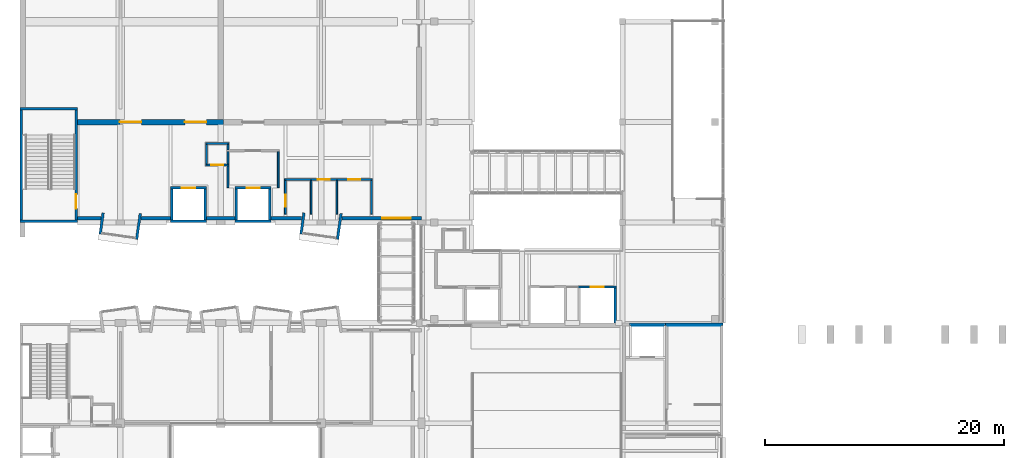
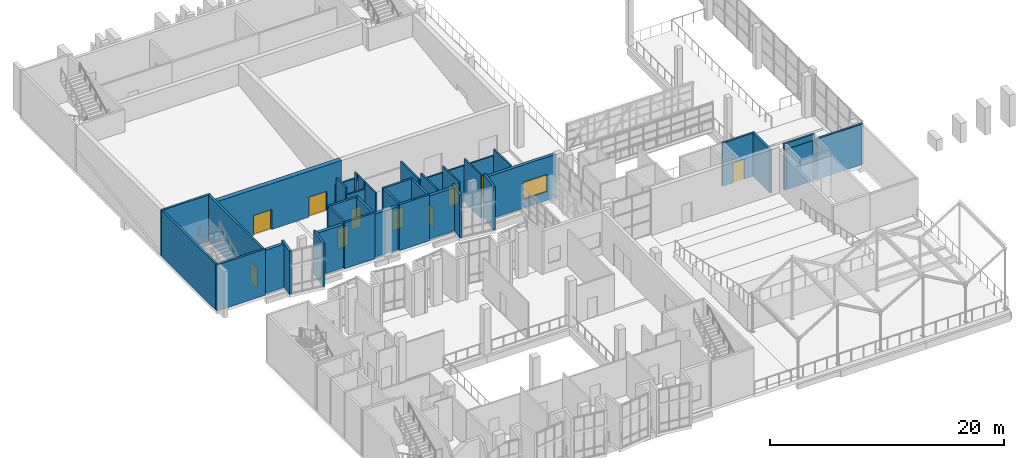
# One storey, part 44 of 67: 41 walls, 10 doors, 1 window, 11 openings.
"""IFC4 building model written with IfcOpenShell, lengths in metres."""

from ifc_helpers import new_model, si_unit, direction, frame, frame_2d, origin, place, context, subcontext, project, spatial, rectangle, extrude, material, layer, layer_set, type_object, element, fill, save


model = new_model("IFC4")

# Units and contexts
model_context = context("Model", 3, precision=1e-05, world=origin(), true_north=direction((0.0, 1.0)))
body_context = subcontext(model_context, "Body", "Model", "MODEL_VIEW")
ifc_project = project(units=[si_unit("LENGTHUNIT", "METRE"), si_unit("AREAUNIT", "SQUARE_METRE"), si_unit("VOLUMEUNIT", "CUBIC_METRE"), si_unit("PLANEANGLEUNIT", "RADIAN"), si_unit("MASSUNIT", "GRAM", prefix="KILO")], contexts=[model_context])

# Site, building, storey
site_placement = place(None, origin())
site = spatial("IfcSite", under=ifc_project, at=site_placement, CompositionType="ELEMENT")
building_placement = place(site_placement, origin())
building = spatial("IfcBuilding", under=site, at=building_placement, Name="Kiln Court Media Centre", CompositionType="ELEMENT")
storey_placement = place(building_placement, frame((0.0, 0.0, 19.800048828125)))
storey = spatial("IfcBuildingStorey", under=building, at=storey_placement, Name="L04", CompositionType="ELEMENT", Elevation=19.800048828125)

# Walls
ifc_material_1 = material(Name="Concrete block masonry M7.5", Category="masonry")
ifc_layer_1 = layer(ifc_material_1, 0.14990234375)
ifc_layer_set_1 = layer_set([ifc_layer_1], Name="Block lobby wall 150 EI 120")
wall_type_1 = type_object("IfcWallType", Name="Block lobby wall 150 EI 120", PredefinedType="SOLIDWALL", material=ifc_layer_set_1)
wall_1_placement = place(storey_placement, frame((17.39990234375, 36.52490234375, 0.0), z_axis=(0.0, 0.0, 1.0), x_axis=(0.0, 1.0, 0.0)))
element("IfcWall", 1, at=wall_1_placement, inside=storey, type_object=wall_type_1, Name="L04 block lobby wall", PredefinedType="SOLIDWALL", context=body_context, shape_type="SweptSolid", body=[
    extrude(rectangle(XDim=1.800048828125, YDim=0.14990234375, at=frame_2d((0.89990234375, 0.0))), origin(), (0.0, 0.0, 1.0), 4.5),
])
wall_2_placement = place(storey_placement, frame((17.39990234375, 38.47509765625, 0.0), z_axis=(0.0, 0.0, 1.0), x_axis=(0.0, 1.0, 0.0)))
element("IfcWall", 2, at=wall_2_placement, inside=storey, type_object=wall_type_1, Name="L04 block lobby wall", PredefinedType="SOLIDWALL", context=body_context, shape_type="SweptSolid", body=[
    extrude(rectangle(XDim=1.0498046875, YDim=0.14990234375, at=frame_2d((0.52490234375, 0.0))), origin(), (0.0, 0.0, 1.0), 4.5),
])
wall_3_placement = place(storey_placement, frame((21.60009765625, 36.52490234375, 0.0), z_axis=(0.0, 0.0, 1.0), x_axis=(0.0, 1.0, 0.0)))
element("IfcWall", 3, at=wall_3_placement, inside=storey, type_object=wall_type_1, Name="L04 block lobby wall", PredefinedType="SOLIDWALL", context=body_context, shape_type="SweptSolid", body=[
    extrude(rectangle(XDim=3.0, YDim=0.14990234375, at=frame_2d((1.5, 0.0))), origin(), (0.0, 0.0, 1.0), 4.5),
])
ifc_material_2 = material(Name="Brick masonry facing leaf with RC backing", Category="masonry")
ifc_layer_2 = layer(ifc_material_2, 0.215087890625)
ifc_layer_set_2 = layer_set([ifc_layer_2], Name="Brick masonry bay cheek wall 215")
wall_type_2 = type_object("IfcWallType", Name="Brick masonry bay cheek wall 215", PredefinedType="SOLIDWALL", material=ifc_layer_set_2)
wall_4_placement = place(storey_placement, frame((6.9560546875, 34.40869140625, 0.0), z_axis=(0.0, 0.0, 1.0), x_axis=(-0.13918000587, -0.990267098295, 0.0)))
element("IfcWall", 4, at=wall_4_placement, inside=storey, type_object=wall_type_2, Name="BAY V4-S-L04-24 cheek L", PredefinedType="SOLIDWALL", context=body_context, shape_type="SweptSolid", body=[
    extrude(rectangle(XDim=1.7998046875, YDim=0.215087890625, at=frame_2d((0.89990234375, 0.0))), origin(), (0.0, 0.0, 1.0), 4.5),
])
wall_5_placement = place(storey_placement, frame((10.0625, 34.344970703125, 0.0), z_axis=(0.0, 0.0, 1.0), x_axis=(-0.139230687381, -0.99025997379, 0.0)))
element("IfcWall", 5, at=wall_5_placement, inside=storey, type_object=wall_type_2, Name="BAY V4-S-L04-24 cheek R", PredefinedType="SOLIDWALL", context=body_context, shape_type="SweptSolid", body=[
    extrude(rectangle(XDim=2.169189453125, YDim=0.215087890625, at=frame_2d((1.08447265625, 0.0))), origin(), (0.0, 0.0, 1.0), 4.5),
])
wall_6_placement = place(storey_placement, frame((23.756103515625, 34.40869140625, 0.0), z_axis=(0.0, 0.0, 1.0), x_axis=(-0.13918000587, -0.990267098295, 0.0)))
element("IfcWall", 6, at=wall_6_placement, inside=storey, type_object=wall_type_2, Name="BAY V4-S-L04-28 cheek L", PredefinedType="SOLIDWALL", context=body_context, shape_type="SweptSolid", body=[
    extrude(rectangle(XDim=1.7998046875, YDim=0.215087890625, at=frame_2d((0.89990234375, 0.0))), origin(), (0.0, 0.0, 1.0), 4.5),
])
wall_7_placement = place(storey_placement, frame((26.8623046875, 34.344970703125, 0.0), z_axis=(0.0, 0.0, 1.0), x_axis=(-0.139120311566, -0.990275486372, 0.0)))
element("IfcWall", 7, at=wall_7_placement, inside=storey, type_object=wall_type_2, Name="BAY V4-S-L04-28 cheek R", PredefinedType="SOLIDWALL", context=body_context, shape_type="SweptSolid", body=[
    extrude(rectangle(XDim=2.1689453125, YDim=0.215087890625, at=frame_2d((1.08447265625, 0.0))), origin(), (0.0, 0.0, 1.0), 4.5),
])

# Wall, openings, doors
ifc_material_3 = material(Name="Concrete C40/50", Category="concrete")
ifc_layer_3 = layer(ifc_material_3, 0.449951171875)
ifc_layer_set_3 = layer_set([ifc_layer_3], Name="Concrete C40/50 auditorium wall 450")
wall_type_3 = type_object("IfcWallType", Name="Concrete C40/50 auditorium wall 450", PredefinedType="SHEAR", material=ifc_layer_set_3)
wall_8_placement = place(storey_placement, frame((17.02490234375, 42.0, 0.0), z_axis=(0.0, 0.0, 1.0), x_axis=(-1.0, 0.0, 0.0)))
wall_8 = element("IfcWall", 8, at=wall_8_placement, inside=storey, type_object=wall_type_3, Name="L04-W-1072", PredefinedType="SHEAR", context=body_context, shape_type="SweptSolid", body=[
    extrude(rectangle(XDim=12.224853515625, YDim=0.449951171875, at=frame_2d((6.1123046875, 0.0))), origin(), (0.0, 0.0, 1.0), 4.800048828125),
])
opening_1_placement = place(wall_8_placement, frame((6.875, 0.0, 0.0)))
opening_1 = element("IfcOpeningElement", 9, at=opening_1_placement, cuts=wall_8, Name="Opening D4013", PredefinedType="OPENING", context=body_context, shape_type="SweptSolid", body=[
    extrude(rectangle(XDim=1.800048828125, YDim=2.10009765625, at=frame_2d((0.89990234375, 1.050048828125))), frame((0.0, 0.23486328125, 0.0), z_axis=(0.0, -1.0, 0.0), x_axis=(1.0, 0.0, 0.0)), (0.0, 0.0, 1.0), 0.469970703125),
])
opening_2_placement = place(wall_8_placement, frame((1.4248046875, 0.0, 0.0)))
opening_2 = element("IfcOpeningElement", 10, at=opening_2_placement, cuts=wall_8, Name="Opening D4038", PredefinedType="OPENING", context=body_context, shape_type="SweptSolid", body=[
    extrude(rectangle(XDim=1.800048828125, YDim=2.10009765625, at=frame_2d((0.89990234375, 1.050048828125))), frame((0.0, 0.23486328125, 0.0), z_axis=(0.0, -1.0, 0.0), x_axis=(1.0, 0.0, 0.0)), (0.0, 0.0, 1.0), 0.469970703125),
])
ifc_material_4 = material(Name="Steel S275", Category="steel")
door_type_1 = type_object("IfcDoorType", Name="Acoustic cinema double door 1800 x 2100 FD180", OperationType="DOUBLE_DOOR_SINGLE_SWING", PredefinedType="DOOR", material=ifc_material_4)
door_1_placement = place(opening_1_placement, origin())
door_1 = element("IfcDoor", 11, at=door_1_placement, inside=storey, type_object=door_type_1, Name="VIP Lounge / Cinema Screen 7", OperationType="DOUBLE_DOOR_SINGLE_SWING", OverallHeight=2.10009765625, OverallWidth=1.800048828125, PredefinedType="DOOR", context=body_context, shape_type="SweptSolid", body=[
    extrude(rectangle(XDim=1.800048828125, YDim=2.10009765625, at=frame_2d((0.89990234375, 1.050048828125))), frame((0.0, 0.02490234375, 0.0), z_axis=(0.0, -1.0, 0.0), x_axis=(1.0, 0.0, 0.0)), (0.0, 0.0, 1.0), 0.050048828125),
])
fill(opening_1, door_1)
door_2_placement = place(opening_2_placement, origin())
door_2 = element("IfcDoor", 12, at=door_2_placement, inside=storey, type_object=door_type_1, Name="Cinema Lobby / Cinema Screen 7", OperationType="DOUBLE_DOOR_SINGLE_SWING", OverallHeight=2.10009765625, OverallWidth=1.800048828125, PredefinedType="DOOR", context=body_context, shape_type="SweptSolid", body=[
    extrude(rectangle(XDim=1.800048828125, YDim=2.10009765625, at=frame_2d((0.89990234375, 1.050048828125))), frame((0.0, 0.02490234375, 0.0), z_axis=(0.0, -1.0, 0.0), x_axis=(1.0, 0.0, 0.0)), (0.0, 0.0, 1.0), 0.050048828125),
])
fill(opening_2, door_2)

# Walls
ifc_material_5 = material(Name="Concrete C40/50", Category="concrete")
ifc_layer_4 = layer(ifc_material_5, 0.300048828125)
ifc_layer_set_4 = layer_set([ifc_layer_4], Name="Concrete C40/50 board-marked facade wall 300")
wall_type_4 = type_object("IfcWallType", Name="Concrete C40/50 board-marked facade wall 300", PredefinedType="SOLIDWALL", material=ifc_layer_set_4)
wall_9_placement = place(storey_placement, frame((6.76220703125, 33.949951171875, 0.0), z_axis=(0.0, 0.0, 1.0), x_axis=(-1.0, 0.0, 0.0)))
element("IfcWall", 13, at=wall_9_placement, inside=storey, type_object=wall_type_4, Name="V4 S facade wall 4000", PredefinedType="SOLIDWALL", context=body_context, shape_type="SweptSolid", body=[
    extrude(rectangle(XDim=1.962158203125, YDim=0.300048828125, at=frame_2d((0.98095703125, 0.0))), origin(), (0.0, 0.0, 1.0), 4.5),
])
wall_10_placement = place(storey_placement, frame((12.60009765625, 33.949951171875, 0.0), z_axis=(0.0, 0.0, 1.0), x_axis=(-1.0, 0.0, 0.0)))
element("IfcWall", 14, at=wall_10_placement, inside=storey, type_object=wall_type_4, Name="V4 S facade wall 4001", PredefinedType="SOLIDWALL", context=body_context, shape_type="SweptSolid", body=[
    extrude(rectangle(XDim=2.4638671875, YDim=0.300048828125, at=frame_2d((1.23193359375, 0.0))), origin(), (0.0, 0.0, 1.0), 4.5),
])
wall_11_placement = place(storey_placement, frame((18.0, 33.949951171875, 0.0), z_axis=(0.0, 0.0, 1.0), x_axis=(-1.0, 0.0, 0.0)))
element("IfcWall", 15, at=wall_11_placement, inside=storey, type_object=wall_type_4, Name="V4 S facade wall 4002", PredefinedType="SOLIDWALL", context=body_context, shape_type="SweptSolid", body=[
    extrude(rectangle(XDim=2.39990234375, YDim=0.300048828125, at=frame_2d((1.199951171875, 0.0))), origin(), (0.0, 0.0, 1.0), 4.5),
])
wall_12_placement = place(storey_placement, frame((23.562255859375, 33.949951171875, 0.0), z_axis=(0.0, 0.0, 1.0), x_axis=(-1.0, 0.0, 0.0)))
element("IfcWall", 16, at=wall_12_placement, inside=storey, type_object=wall_type_4, Name="V4 S facade wall 4003", PredefinedType="SOLIDWALL", context=body_context, shape_type="SweptSolid", body=[
    extrude(rectangle(XDim=2.562255859375, YDim=0.300048828125, at=frame_2d((1.28125, 0.0))), origin(), (0.0, 0.0, 1.0), 4.5),
])

# Wall, opening, window
wall_13_placement = place(storey_placement, frame((33.60009765625, 33.949951171875, 0.0), z_axis=(0.0, 0.0, 1.0), x_axis=(-1.0, 0.0, 0.0)))
wall_13 = element("IfcWall", 17, at=wall_13_placement, inside=storey, type_object=wall_type_4, Name="V4 S facade wall 4004", PredefinedType="SOLIDWALL", context=body_context, shape_type="SweptSolid", body=[
    extrude(rectangle(XDim=6.6640625, YDim=0.300048828125, at=frame_2d((3.33203125, 0.0))), origin(), (0.0, 0.0, 1.0), 4.5),
])
opening_3_placement = place(wall_13_placement, frame((0.89990234375, 0.0, 0.89990234375)))
opening_3 = element("IfcOpeningElement", 18, at=opening_3_placement, cuts=wall_13, Name="Opening WN4500", PredefinedType="OPENING", context=body_context, shape_type="SweptSolid", body=[
    extrude(rectangle(XDim=2.39990234375, YDim=1.800048828125, at=frame_2d((1.199951171875, 0.89990234375))), frame((0.0, 0.159912109375, 0.0), z_axis=(0.0, -1.0, 0.0), x_axis=(1.0, 0.0, 0.0)), (0.0, 0.0, 1.0), 0.320068359375),
])
ifc_material_6 = material(Name="Aluminium 6063-T6", Category="aluminium")
window_type = type_object("IfcWindowType", Name="Aluminium lobby window 2400x1800", PartitioningType="TRIPLE_PANEL_VERTICAL", PredefinedType="WINDOW", material=ifc_material_6)
window_placement = place(opening_3_placement, origin())
window = element("IfcWindow", 19, at=window_placement, inside=storey, type_object=window_type, Name="V4 S circulation window", OverallHeight=1.800048828125, OverallWidth=2.39990234375, PartitioningType="SINGLE_PANEL", PredefinedType="WINDOW", context=body_context, shape_type="SweptSolid", body=[
    extrude(rectangle(XDim=2.39990234375, YDim=1.800048828125, at=frame_2d((1.199951171875, 0.89990234375))), frame((0.0, 0.030029296875, 0.0), z_axis=(0.0, -1.0, 0.0), x_axis=(1.0, 0.0, 0.0)), (0.0, 0.0, 1.0), 0.06005859375),
])
fill(opening_3, window)

# Wall, opening, door
ifc_material_7 = material(Name="Concrete C40/50", Category="concrete")
ifc_layer_5 = layer(ifc_material_7, 0.199951171875)
ifc_layer_set_5 = layer_set([ifc_layer_5], Name="Concrete C40/50 lift shaft wall 200 EI 240")
wall_type_5 = type_object("IfcWallType", Name="Concrete C40/50 lift shaft wall 200 EI 240", PredefinedType="SHEAR", material=ifc_layer_set_5)
wall_14_placement = place(storey_placement, frame((46.699951171875, 28.199951171875, 0.0), z_axis=(0.0, 0.0, 1.0), x_axis=(1.0, 0.0, 0.0)))
wall_14 = element("IfcWall", 20, at=wall_14_placement, inside=storey, type_object=wall_type_5, Name="L04 concrete c40/50 lift shaft wall", PredefinedType="SHEAR", context=body_context, shape_type="SweptSolid", body=[
    extrude(rectangle(XDim=3.199951171875, YDim=0.199951171875, at=frame_2d((1.60009765625, 0.0))), origin(), (0.0, 0.0, 1.0), 4.5),
])
opening_4_placement = place(wall_14_placement, frame((1.050048828125, 0.0, 0.0)))
opening_4 = element("IfcOpeningElement", 21, at=opening_4_placement, cuts=wall_14, Name="Opening LD408", PredefinedType="OPENING", context=body_context, shape_type="SweptSolid", body=[
    extrude(rectangle(XDim=1.10009765625, YDim=2.10009765625, at=frame_2d((0.550048828125, 1.050048828125))), frame((0.0, 0.10986328125, 0.0), z_axis=(0.0, -1.0, 0.0), x_axis=(1.0, 0.0, 0.0)), (0.0, 0.0, 1.0), 0.219970703125),
])
ifc_material_8 = material(Name="Stainless steel", Category="steel")
door_type_2 = type_object("IfcDoorType", Name="Lift landing door 1100 x 2100 FD120", OperationType="SLIDING_TO_LEFT", PredefinedType="DOOR", material=ifc_material_8)
door_3_placement = place(opening_4_placement, origin())
door_3 = element("IfcDoor", 22, at=door_3_placement, inside=storey, type_object=door_type_2, Name="LF-08 landing door L04", OperationType="SLIDING_TO_LEFT", OverallHeight=2.10009765625, OverallWidth=1.10009765625, PredefinedType="DOOR", context=body_context, shape_type="SweptSolid", body=[
    extrude(rectangle(XDim=1.10009765625, YDim=2.10009765625, at=frame_2d((0.550048828125, 1.050048828125))), frame((0.0, 0.02490234375, 0.0), z_axis=(0.0, -1.0, 0.0), x_axis=(1.0, 0.0, 0.0)), (0.0, 0.0, 1.0), 0.050048828125),
])
fill(opening_4, door_3)

# Walls
wall_15_placement = place(storey_placement, frame((49.800048828125, 25.199951171875, 0.0), z_axis=(0.0, 0.0, 1.0), x_axis=(0.0, 1.0, 0.0)))
element("IfcWall", 23, at=wall_15_placement, inside=storey, type_object=wall_type_5, Name="L04 concrete c40/50 lift shaft wall", PredefinedType="SHEAR", context=body_context, shape_type="SweptSolid", body=[
    extrude(rectangle(XDim=2.900146484375, YDim=0.199951171875, at=frame_2d((1.4501953125, 0.0))), origin(), (0.0, 0.0, 1.0), 4.5),
])
ifc_material_9 = material(Name="Concrete C40/50", Category="concrete")
ifc_layer_6 = layer(ifc_material_9, 0.199951171875)
ifc_layer_set_6 = layer_set([ifc_layer_6], Name="Concrete C40/50 shear wall 200")
wall_type_6 = type_object("IfcWallType", Name="Concrete C40/50 shear wall 200", PredefinedType="SHEAR", material=ifc_layer_set_6)
wall_16_placement = place(storey_placement, frame((54.0, 25.10009765625, 0.0), z_axis=(0.0, 0.0, 1.0), x_axis=(1.0, 0.0, 0.0)))
element("IfcWall", 24, at=wall_16_placement, inside=storey, type_object=wall_type_6, Name="L04-W-1013", PredefinedType="SHEAR", context=body_context, shape_type="SweptSolid", body=[
    extrude(rectangle(XDim=4.800048828125, YDim=0.199951171875, at=frame_2d((2.39990234375, 0.0))), origin(), (0.0, 0.0, 1.0), 4.199951171875),
])
for number, where, z_axis, x_axis, name in (
    (25, (4.800048828125, 33.699951171875, 0.0), (0.0, 0.0, 1.0), (-1.0, 0.0, 0.0), "L04-W-1016"),
    (26, (0.00048828125, 43.10009765625, 0.0), (0.0, 0.0, 1.0), (1.0, 0.0, 0.0), "L04-W-1017"),
):
    element("IfcWall", number, at=place(storey_placement, frame(where, z_axis=z_axis, x_axis=x_axis)), inside=storey, type_object=wall_type_6, Name=name, PredefinedType="SHEAR", context=body_context, shape_type="SweptSolid", body=[
        extrude(rectangle(XDim=4.799560546875, YDim=0.199951171875, at=frame_2d((2.39990234375, 0.0))), origin(), (0.0, 0.0, 1.0), 4.800048828125),
    ])
wall_17_placement = place(storey_placement, frame((0.100341796875, 33.800048828125, 0.0), z_axis=(0.0, 0.0, 1.0), x_axis=(0.0, 1.0, 0.0)))
element("IfcWall", 27, at=wall_17_placement, inside=storey, type_object=wall_type_6, Name="L04-W-1018", PredefinedType="SHEAR", context=body_context, shape_type="SweptSolid", body=[
    extrude(rectangle(XDim=9.199951171875, YDim=0.199951171875, at=frame_2d((4.60009765625, 0.0))), origin(), (0.0, 0.0, 1.0), 4.800048828125),
])

# Wall, opening, door
wall_18_placement = place(storey_placement, frame((4.699951171875, 43.0, 0.0), z_axis=(0.0, 0.0, 1.0), x_axis=(0.0, -1.0, 0.0)))
wall_18 = element("IfcWall", 28, at=wall_18_placement, inside=storey, type_object=wall_type_6, Name="L04-W-1019", PredefinedType="SHEAR", context=body_context, shape_type="SweptSolid", body=[
    extrude(rectangle(XDim=9.199951171875, YDim=0.199951171875, at=frame_2d((4.60009765625, 0.0))), origin(), (0.0, 0.0, 1.0), 4.800048828125),
])
opening_5_placement = place(wall_18_placement, frame((7.050048828125, 0.0, 0.0)))
opening_5 = element("IfcOpeningElement", 29, at=opening_5_placement, cuts=wall_18, Name="Opening D4002", PredefinedType="OPENING", context=body_context, shape_type="SweptSolid", body=[
    extrude(rectangle(XDim=1.199951171875, YDim=2.10009765625, at=frame_2d((0.60009765625, 1.050048828125))), frame((0.0, 0.10986328125, 0.0), z_axis=(0.0, -1.0, 0.0), x_axis=(1.0, 0.0, 0.0)), (0.0, 0.0, 1.0), 0.219970703125),
])
ifc_material_10 = material(Name="Steel S275", Category="steel")
door_type_3 = type_object("IfcDoorType", Name="Steel stair door 1200 x 2100 FD180", OperationType="SINGLE_SWING_LEFT", PredefinedType="DOOR", material=ifc_material_10)
door_4_placement = place(opening_5_placement, origin())
door_4 = element("IfcDoor", 30, at=door_4_placement, inside=storey, type_object=door_type_3, Name="Stair 6 / VIP Lounge", OperationType="SINGLE_SWING_LEFT", OverallHeight=2.10009765625, OverallWidth=1.199951171875, PredefinedType="DOOR", context=body_context, shape_type="SweptSolid", body=[
    extrude(rectangle(XDim=1.199951171875, YDim=2.10009765625, at=frame_2d((0.60009765625, 1.050048828125))), frame((0.0, 0.02490234375, 0.0), z_axis=(0.0, -1.0, 0.0), x_axis=(1.0, 0.0, 0.0)), (0.0, 0.0, 1.0), 0.050048828125),
])
fill(opening_5, door_4)

# Walls
wall_19_placement = place(storey_placement, frame((51.0, 25.10009765625, 0.0), z_axis=(0.0, 0.0, 1.0), x_axis=(1.0, 0.0, 0.0)))
element("IfcWall", 31, at=wall_19_placement, inside=storey, type_object=wall_type_6, Name="L04-W-1045", PredefinedType="SHEAR", context=body_context, shape_type="SweptSolid", body=[
    extrude(rectangle(XDim=3.0, YDim=0.199951171875, at=frame_2d((1.5, 0.0))), origin(), (0.0, 0.0, 1.0), 4.199951171875),
])
wall_20_placement = place(storey_placement, frame((51.0, 25.10009765625, 4.199951171875), z_axis=(0.0, 0.0, 1.0), x_axis=(1.0, 0.0, 0.0)))
element("IfcWall", 32, at=wall_20_placement, inside=storey, type_object=wall_type_6, Name="L04-W-1049", PredefinedType="SHEAR", context=body_context, shape_type="SweptSolid", body=[
    extrude(rectangle(XDim=3.0, YDim=0.199951171875, at=frame_2d((1.5, 0.0))), origin(), (0.0, 0.0, 1.0), 0.60009765625),
])
wall_21_placement = place(storey_placement, frame((15.60009765625, 33.699951171875, 0.0), z_axis=(0.0, 0.0, 1.0), x_axis=(-1.0, 0.0, 0.0)))
element("IfcWall", 33, at=wall_21_placement, inside=storey, type_object=wall_type_6, Name="L04-W-1052", PredefinedType="SHEAR", context=body_context, shape_type="SweptSolid", body=[
    extrude(rectangle(XDim=3.0, YDim=0.199951171875, at=frame_2d((1.5, 0.0))), origin(), (0.0, 0.0, 1.0), 4.800048828125),
])

# Wall, opening, door
wall_22_placement = place(storey_placement, frame((12.60009765625, 36.5, 0.0), z_axis=(0.0, 0.0, 1.0), x_axis=(1.0, 0.0, 0.0)))
wall_22 = element("IfcWall", 34, at=wall_22_placement, inside=storey, type_object=wall_type_6, Name="L04-W-1053", PredefinedType="SHEAR", context=body_context, shape_type="SweptSolid", body=[
    extrude(rectangle(XDim=3.0, YDim=0.199951171875, at=frame_2d((1.5, 0.0))), origin(), (0.0, 0.0, 1.0), 4.800048828125),
])
opening_6_placement = place(wall_22_placement, frame((0.949951171875, 0.0, 0.0)))
opening_6 = element("IfcOpeningElement", 35, at=opening_6_placement, cuts=wall_22, Name="Opening LD405", PredefinedType="OPENING", context=body_context, shape_type="SweptSolid", body=[
    extrude(rectangle(XDim=1.10009765625, YDim=2.10009765625, at=frame_2d((0.550048828125, 1.050048828125))), frame((0.0, 0.10986328125, 0.0), z_axis=(0.0, -1.0, 0.0), x_axis=(1.0, 0.0, 0.0)), (0.0, 0.0, 1.0), 0.219970703125),
])
door_5_placement = place(opening_6_placement, origin())
door_5 = element("IfcDoor", 36, at=door_5_placement, inside=storey, type_object=door_type_2, Name="LF-05 landing door L04", OperationType="SLIDING_TO_LEFT", OverallHeight=2.10009765625, OverallWidth=1.10009765625, PredefinedType="DOOR", context=body_context, shape_type="SweptSolid", body=[
    extrude(rectangle(XDim=1.10009765625, YDim=2.10009765625, at=frame_2d((0.550048828125, 1.050048828125))), frame((0.0, 0.02490234375, 0.0), z_axis=(0.0, -1.0, 0.0), x_axis=(1.0, 0.0, 0.0)), (0.0, 0.0, 1.0), 0.050048828125),
])
fill(opening_6, door_5)

# Walls
for number, where, z_axis, x_axis, name in (
    (37, (12.699951171875, 33.800048828125, 0.0), (0.0, 0.0, 1.0), (0.0, 1.0, 0.0), "L04-W-1054"),
    (38, (15.5, 36.39990234375, 0.0), (0.0, 0.0, 1.0), (0.0, -1.0, 0.0), "L04-W-1055"),
):
    element("IfcWall", number, at=place(storey_placement, frame(where, z_axis=z_axis, x_axis=x_axis)), inside=storey, type_object=wall_type_6, Name=name, PredefinedType="SHEAR", context=body_context, shape_type="SweptSolid", body=[
        extrude(rectangle(XDim=2.599853515625, YDim=0.199951171875, at=frame_2d((1.2998046875, 0.0))), origin(), (0.0, 0.0, 1.0), 4.800048828125),
    ])
wall_23_placement = place(storey_placement, frame((21.0, 33.699951171875, 0.0), z_axis=(0.0, 0.0, 1.0), x_axis=(-1.0, 0.0, 0.0)))
element("IfcWall", 39, at=wall_23_placement, inside=storey, type_object=wall_type_6, Name="L04-W-1056", PredefinedType="SHEAR", context=body_context, shape_type="SweptSolid", body=[
    extrude(rectangle(XDim=3.0, YDim=0.199951171875, at=frame_2d((1.5, 0.0))), origin(), (0.0, 0.0, 1.0), 4.800048828125),
])

# Wall, opening, door
wall_24_placement = place(storey_placement, frame((18.0, 36.5, 0.0), z_axis=(0.0, 0.0, 1.0), x_axis=(1.0, 0.0, 0.0)))
wall_24 = element("IfcWall", 40, at=wall_24_placement, inside=storey, type_object=wall_type_6, Name="L04-W-1057", PredefinedType="SHEAR", context=body_context, shape_type="SweptSolid", body=[
    extrude(rectangle(XDim=3.0, YDim=0.199951171875, at=frame_2d((1.5, 0.0))), origin(), (0.0, 0.0, 1.0), 4.800048828125),
])
opening_7_placement = place(wall_24_placement, frame((0.949951171875, 0.0, 0.0)))
opening_7 = element("IfcOpeningElement", 41, at=opening_7_placement, cuts=wall_24, Name="Opening LD406", PredefinedType="OPENING", context=body_context, shape_type="SweptSolid", body=[
    extrude(rectangle(XDim=1.10009765625, YDim=2.10009765625, at=frame_2d((0.550048828125, 1.050048828125))), frame((0.0, 0.10986328125, 0.0), z_axis=(0.0, -1.0, 0.0), x_axis=(1.0, 0.0, 0.0)), (0.0, 0.0, 1.0), 0.219970703125),
])
ifc_material_11 = material(Name="Stainless steel", Category="steel")
door_type_4 = type_object("IfcDoorType", Name="Firefighting lift landing door 1100 x 2100 FD120", OperationType="SLIDING_TO_LEFT", PredefinedType="DOOR", material=ifc_material_11)
door_6_placement = place(opening_7_placement, origin())
door_6 = element("IfcDoor", 42, at=door_6_placement, inside=storey, type_object=door_type_4, Name="LF-06 landing door L04", OperationType="SLIDING_TO_LEFT", OverallHeight=2.10009765625, OverallWidth=1.10009765625, PredefinedType="DOOR", context=body_context, shape_type="SweptSolid", body=[
    extrude(rectangle(XDim=1.10009765625, YDim=2.10009765625, at=frame_2d((0.550048828125, 1.050048828125))), frame((0.0, 0.02490234375, 0.0), z_axis=(0.0, -1.0, 0.0), x_axis=(1.0, 0.0, 0.0)), (0.0, 0.0, 1.0), 0.050048828125),
])
fill(opening_7, door_6)

# Walls
for number, where, z_axis, x_axis, name in (
    (43, (18.10009765625, 33.800048828125, 0.0), (0.0, 0.0, 1.0), (0.0, 1.0, 0.0), "L04-W-1058"),
    (44, (20.89990234375, 36.39990234375, 0.0), (0.0, 0.0, 1.0), (0.0, -1.0, 0.0), "L04-W-1059"),
):
    element("IfcWall", number, at=place(storey_placement, frame(where, z_axis=z_axis, x_axis=x_axis)), inside=storey, type_object=wall_type_6, Name=name, PredefinedType="SHEAR", context=body_context, shape_type="SweptSolid", body=[
        extrude(rectangle(XDim=2.599853515625, YDim=0.199951171875, at=frame_2d((1.2998046875, 0.0))), origin(), (0.0, 0.0, 1.0), 4.800048828125),
    ])
ifc_material_12 = material(Name="Concrete C40/50", Category="concrete")
ifc_layer_7 = layer(ifc_material_12, 0.050048828125)
ifc_layer_set_7 = layer_set([ifc_layer_7], Name="Concrete C40/50 shear wall 50")
wall_type_7 = type_object("IfcWallType", Name="Concrete C40/50 shear wall 50", PredefinedType="SHEAR", material=ifc_layer_set_7)
wall_25_placement = place(storey_placement, frame((51.199951171875, 24.97509765625, 0.0), z_axis=(0.0, 0.0, 1.0), x_axis=(1.0, 0.0, 0.0)))
element("IfcWall", 45, at=wall_25_placement, inside=storey, type_object=wall_type_7, Name="L04-W-1082", PredefinedType="SHEAR", context=body_context, shape_type="SweptSolid", body=[
    extrude(rectangle(XDim=2.60009765625, YDim=0.050048828125, at=frame_2d((1.300048828125, 0.0))), origin(), (0.0, 0.0, 1.0), 4.199951171875),
])
wall_26_placement = place(storey_placement, frame((54.199951171875, 24.97509765625, 0.0), z_axis=(0.0, 0.0, 1.0), x_axis=(1.0, 0.0, 0.0)))
element("IfcWall", 46, at=wall_26_placement, inside=storey, type_object=wall_type_7, Name="L04-W-1083", PredefinedType="SHEAR", context=body_context, shape_type="SweptSolid", body=[
    extrude(rectangle(XDim=4.400146484375, YDim=0.050048828125, at=frame_2d((2.2001953125, 0.0))), origin(), (0.0, 0.0, 1.0), 4.199951171875),
])

# Wall, openings, doors
ifc_material_13 = material(Name="Gypsum plasterboard", Category="gypsum")
ifc_layer_8 = layer(ifc_material_13, 0.14990234375)
ifc_layer_set_8 = layer_set([ifc_layer_8], Name="Gypsum corridor partition 150 EI 60")
wall_type_8 = type_object("IfcWallType", Name="Gypsum corridor partition 150 EI 60", PredefinedType="PARTITIONING", material=ifc_layer_set_8)
wall_27_placement = place(storey_placement, frame((22.125, 37.199951171875, 0.0), z_axis=(0.0, 0.0, 1.0), x_axis=(1.0, 0.0, 0.0)))
wall_27 = element("IfcWall", 47, at=wall_27_placement, inside=storey, type_object=wall_type_8, Name="L04 gypsum corridor partition", PredefinedType="PARTITIONING", context=body_context, shape_type="SweptSolid", body=[
    extrude(rectangle(XDim=7.35009765625, YDim=0.14990234375, at=frame_2d((3.675048828125, 0.0))), origin(), (0.0, 0.0, 1.0), 3.800048828125),
])
opening_8_placement = place(wall_27_placement, frame((2.800048828125, 0.0, 0.0)))
opening_8 = element("IfcOpeningElement", 48, at=opening_8_placement, cuts=wall_27, Name="Opening D4035", PredefinedType="OPENING", context=body_context, shape_type="SweptSolid", body=[
    extrude(rectangle(XDim=1.0, YDim=2.10009765625, at=frame_2d((0.5, 1.050048828125))), frame((0.0, 0.0849609375, 0.0), z_axis=(0.0, -1.0, 0.0), x_axis=(1.0, 0.0, 0.0)), (0.0, 0.0, 1.0), 0.169921875),
])
opening_9_placement = place(wall_27_placement, frame((5.324951171875, 0.0, 0.0)))
opening_9 = element("IfcOpeningElement", 49, at=opening_9_placement, cuts=wall_27, Name="Opening D4036", PredefinedType="OPENING", context=body_context, shape_type="SweptSolid", body=[
    extrude(rectangle(XDim=1.0, YDim=2.10009765625, at=frame_2d((0.5, 1.050048828125))), frame((0.0, 0.0849609375, 0.0), z_axis=(0.0, -1.0, 0.0), x_axis=(1.0, 0.0, 0.0)), (0.0, 0.0, 1.0), 0.169921875),
])
ifc_material_14 = material(Name="Steel S275", Category="steel")
door_type_5 = type_object("IfcDoorType", Name="Steel accessible door 1000 x 2100 FD30S", OperationType="SINGLE_SWING_LEFT", PredefinedType="DOOR", material=ifc_material_14)
door_7_placement = place(opening_9_placement, origin())
door_7 = element("IfcDoor", 50, at=door_7_placement, inside=storey, type_object=door_type_5, Name="Accessible WC / Toilet Lobby", OperationType="SINGLE_SWING_RIGHT", OverallHeight=2.10009765625, OverallWidth=1.0, PredefinedType="DOOR", context=body_context, shape_type="SweptSolid", body=[
    extrude(rectangle(XDim=1.0, YDim=2.10009765625, at=frame_2d((0.5, 1.050048828125))), frame((0.0, 0.02490234375, 0.0), z_axis=(0.0, -1.0, 0.0), x_axis=(1.0, 0.0, 0.0)), (0.0, 0.0, 1.0), 0.050048828125),
])
fill(opening_9, door_7)
ifc_material_15 = material(Name="Steel S275", Category="steel")
door_type_6 = type_object("IfcDoorType", Name="Steel corridor door 1000 x 2100 FD30S", OperationType="SINGLE_SWING_LEFT", PredefinedType="DOOR", material=ifc_material_15)
door_8_placement = place(opening_8_placement, origin())
door_8 = element("IfcDoor", 51, at=door_8_placement, inside=storey, type_object=door_type_6, Name="Men's WC / Toilet Lobby", OperationType="SINGLE_SWING_RIGHT", OverallHeight=2.10009765625, OverallWidth=1.0, PredefinedType="DOOR", context=body_context, shape_type="SweptSolid", body=[
    extrude(rectangle(XDim=1.0, YDim=2.10009765625, at=frame_2d((0.5, 1.050048828125))), frame((0.0, 0.02490234375, 0.0), z_axis=(0.0, -1.0, 0.0), x_axis=(1.0, 0.0, 0.0)), (0.0, 0.0, 1.0), 0.050048828125),
])
fill(opening_8, door_8)

# Wall, opening, door
wall_28_placement = place(storey_placement, frame((15.52490234375, 38.39990234375, 0.0), z_axis=(0.0, 0.0, 1.0), x_axis=(1.0, 0.0, 0.0)))
wall_28 = element("IfcWall", 52, at=wall_28_placement, inside=storey, type_object=wall_type_8, Name="L04 gypsum corridor partition", PredefinedType="PARTITIONING", context=body_context, shape_type="SweptSolid", body=[
    extrude(rectangle(XDim=1.9501953125, YDim=0.14990234375, at=frame_2d((0.97509765625, 0.0))), origin(), (0.0, 0.0, 1.0), 3.800048828125),
])
opening_10_placement = place(wall_28_placement, frame((0.47509765625, 0.0, 0.0)))
opening_10 = element("IfcOpeningElement", 53, at=opening_10_placement, cuts=wall_28, Name="Opening D4027", PredefinedType="OPENING", context=body_context, shape_type="SweptSolid", body=[
    extrude(rectangle(XDim=1.0, YDim=2.10009765625, at=frame_2d((0.5, 1.050048828125))), frame((0.0, 0.0849609375, 0.0), z_axis=(0.0, -1.0, 0.0), x_axis=(1.0, 0.0, 0.0)), (0.0, 0.0, 1.0), 0.169921875),
])
door_9_placement = place(opening_10_placement, origin())
door_9 = element("IfcDoor", 54, at=door_9_placement, inside=storey, type_object=door_type_6, Name="Cinema Lobby / Wheelchair Refuge", OperationType="SINGLE_SWING_RIGHT", OverallHeight=2.10009765625, OverallWidth=1.0, PredefinedType="DOOR", context=body_context, shape_type="SweptSolid", body=[
    extrude(rectangle(XDim=1.0, YDim=2.10009765625, at=frame_2d((0.5, 1.050048828125))), frame((0.0, 0.02490234375, 0.0), z_axis=(0.0, -1.0, 0.0), x_axis=(1.0, 0.0, 0.0)), (0.0, 0.0, 1.0), 0.050048828125),
])
fill(opening_10, door_9)

# Walls
wall_29_placement = place(storey_placement, frame((15.52490234375, 40.199951171875, 0.0), z_axis=(0.0, 0.0, 1.0), x_axis=(1.0, 0.0, 0.0)))
element("IfcWall", 55, at=wall_29_placement, inside=storey, type_object=wall_type_8, Name="L04 gypsum corridor partition", PredefinedType="PARTITIONING", context=body_context, shape_type="SweptSolid", body=[
    extrude(rectangle(XDim=1.9501953125, YDim=0.14990234375, at=frame_2d((0.97509765625, 0.0))), origin(), (0.0, 0.0, 1.0), 3.800048828125),
])
wall_30_placement = place(storey_placement, frame((15.60009765625, 38.47509765625, 0.0), z_axis=(0.0, 0.0, 1.0), x_axis=(0.0, 1.0, 0.0)))
element("IfcWall", 56, at=wall_30_placement, inside=storey, type_object=wall_type_8, Name="L04 gypsum corridor partition", PredefinedType="PARTITIONING", context=body_context, shape_type="SweptSolid", body=[
    extrude(rectangle(XDim=1.64990234375, YDim=0.14990234375, at=frame_2d((0.824951171875, 0.0))), origin(), (0.0, 0.0, 1.0), 4.5),
])
wall_31_placement = place(storey_placement, frame((17.39990234375, 39.675048828125, 0.0), z_axis=(0.0, 0.0, 1.0), x_axis=(0.0, 1.0, 0.0)))
element("IfcWall", 57, at=wall_31_placement, inside=storey, type_object=wall_type_8, Name="L04 gypsum corridor partition", PredefinedType="PARTITIONING", context=body_context, shape_type="SweptSolid", body=[
    extrude(rectangle(XDim=0.449951171875, YDim=0.14990234375, at=frame_2d((0.22509765625, 0.0))), origin(), (0.0, 0.0, 1.0), 4.5),
])

# Wall, opening, door
wall_32_placement = place(storey_placement, frame((22.199951171875, 34.300048828125, 0.0), z_axis=(0.0, 0.0, 1.0), x_axis=(0.0, 1.0, 0.0)))
wall_32 = element("IfcWall", 58, at=wall_32_placement, inside=storey, type_object=wall_type_8, Name="L04 gypsum corridor partition", PredefinedType="PARTITIONING", context=body_context, shape_type="SweptSolid", body=[
    extrude(rectangle(XDim=2.824951171875, YDim=0.14990234375, at=frame_2d((1.41259765625, 0.0))), origin(), (0.0, 0.0, 1.0), 4.5),
])
opening_11_placement = place(wall_32_placement, frame((0.60009765625, 0.0, 0.0)))
opening_11 = element("IfcOpeningElement", 59, at=opening_11_placement, cuts=wall_32, Name="Opening D4025", PredefinedType="OPENING", context=body_context, shape_type="SweptSolid", body=[
    extrude(rectangle(XDim=1.0, YDim=2.10009765625, at=frame_2d((0.5, 1.050048828125))), frame((0.0, 0.0849609375, 0.0), z_axis=(0.0, -1.0, 0.0), x_axis=(1.0, 0.0, 0.0)), (0.0, 0.0, 1.0), 0.169921875),
])
door_10_placement = place(opening_11_placement, origin())
door_10 = element("IfcDoor", 60, at=door_10_placement, inside=storey, type_object=door_type_6, Name="Cinema Lobby / Women's WC", OperationType="SINGLE_SWING_RIGHT", OverallHeight=2.10009765625, OverallWidth=1.0, PredefinedType="DOOR", context=body_context, shape_type="SweptSolid", body=[
    extrude(rectangle(XDim=1.0, YDim=2.10009765625, at=frame_2d((0.5, 1.050048828125))), frame((0.0, 0.02490234375, 0.0), z_axis=(0.0, -1.0, 0.0), x_axis=(1.0, 0.0, 0.0)), (0.0, 0.0, 1.0), 0.050048828125),
])
fill(opening_11, door_10)

# Walls
wall_33_placement = place(storey_placement, frame((29.39990234375, 34.300048828125, 0.0), z_axis=(0.0, 0.0, 1.0), x_axis=(0.0, 1.0, 0.0)))
element("IfcWall", 61, at=wall_33_placement, inside=storey, type_object=wall_type_8, Name="L04 gypsum corridor partition", PredefinedType="PARTITIONING", context=body_context, shape_type="SweptSolid", body=[
    extrude(rectangle(XDim=2.824951171875, YDim=0.14990234375, at=frame_2d((1.41259765625, 0.0))), origin(), (0.0, 0.0, 1.0), 4.5),
])
ifc_material_16 = material(Name="Gypsum plasterboard", Category="gypsum")
ifc_layer_9 = layer(ifc_material_16, 0.125)
ifc_layer_set_9 = layer_set([ifc_layer_9], Name="Gypsum wet-area partition 125")
wall_type_9 = type_object("IfcWallType", Name="Gypsum wet-area partition 125", PredefinedType="PARTITIONING", material=ifc_layer_set_9)
for number, where, z_axis, x_axis, name in (
    (62, (24.35009765625, 34.300048828125, 0.0), (0.0, 0.0, 1.0), (0.0, 1.0, 0.0), "L04 gypsum wet-area partition"),
    (63, (26.5, 34.300048828125, 0.0), (0.0, 0.0, 1.0), (0.0, 1.0, 0.0), "L04 gypsum wet-area partition"),
):
    element("IfcWall", number, at=place(storey_placement, frame(where, z_axis=z_axis, x_axis=x_axis)), inside=storey, type_object=wall_type_9, Name=name, PredefinedType="PARTITIONING", context=body_context, shape_type="SweptSolid", body=[
        extrude(rectangle(XDim=2.824951171875, YDim=0.125, at=frame_2d((1.41259765625, 0.0))), origin(), (0.0, 0.0, 1.0), 4.5),
    ])

save(model, "model.ifc")
